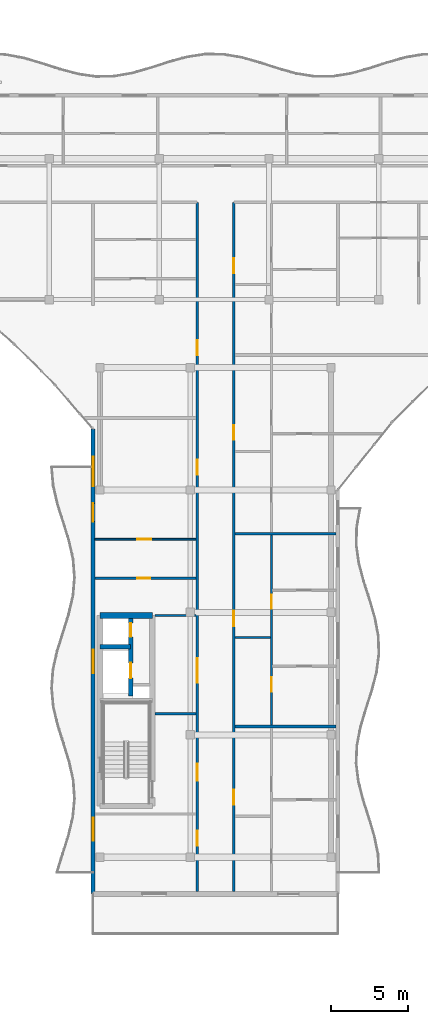
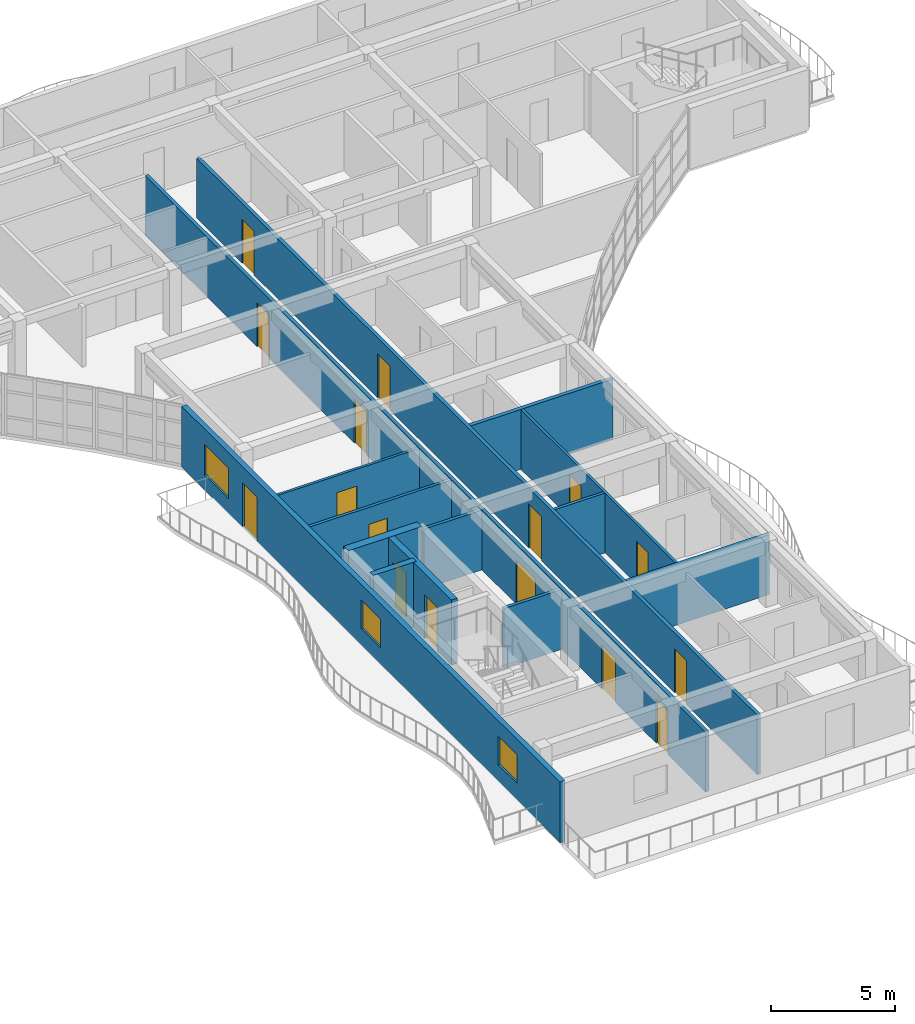
# One storey, part 29 of 49: 16 doors, 14 walls, 3 windows, 19 openings.
"""IFC4 building model written with IfcOpenShell, lengths in metres."""

from ifc_helpers import new_model, si_unit, direction, frame, frame_2d, origin, place, context, subcontext, project, spatial, rectangle, extrude, material, layer, layer_set, type_object, element, fill, save


model = new_model("IFC4")

# Units and contexts
model_context = context("Model", 3, precision=1e-05, world=origin(), true_north=direction((0.0, 1.0)))
body_context = subcontext(model_context, "Body", "Model", "MODEL_VIEW")
ifc_project = project(units=[si_unit("LENGTHUNIT", "METRE"), si_unit("AREAUNIT", "SQUARE_METRE"), si_unit("VOLUMEUNIT", "CUBIC_METRE"), si_unit("PLANEANGLEUNIT", "RADIAN"), si_unit("MASSUNIT", "GRAM", prefix="KILO")], contexts=[model_context])

# Site, building, storey
site_placement = place(None, origin())
site = spatial("IfcSite", under=ifc_project, at=site_placement, CompositionType="ELEMENT")
building_placement = place(site_placement, origin())
building = spatial("IfcBuilding", under=site, at=building_placement, Name="Keldmere Railside Commons", CompositionType="ELEMENT")
storey_placement = place(building_placement, frame((0.0, 0.0, 29.760009765625)))
storey = spatial("IfcBuildingStorey", under=building, at=storey_placement, Name="L09", CompositionType="ELEMENT", Elevation=29.760009765625)

# Walls
ifc_material_1 = material(Name="Acoustic Gypsum Board Partition", Category="gypsum")
ifc_layer_1 = layer(ifc_material_1, 0.179931640625, Name="Acoustic Demising Partition 180")
ifc_layer_set_1 = layer_set([ifc_layer_1], Name="Acoustic Gypsum Board Partition")
wall_type_1 = type_object("IfcWallType", Name="Acoustic Demising Partition 180", PredefinedType="PARTITIONING", material=ifc_layer_set_1)
for number, where, z_axis, x_axis, name in (
    (1, (113.280029296875, 72.550048828125, 0.0), (0.0, 0.0, 1.0), (1.0, 0.0, 0.0), "IW-1 IW-L09-1281"),
    (2, (113.280029296875, 85.139892578125, 0.0), (0.0, 0.0, 1.0), (1.0, 0.0, 0.0), "IW-1 IW-L09-1282"),
):
    element("IfcWall", number, at=place(storey_placement, frame(where, z_axis=z_axis, x_axis=x_axis)), inside=storey, type_object=wall_type_1, Name=name, PredefinedType="PARTITIONING", context=body_context, shape_type="SweptSolid", body=[
        extrude(rectangle(XDim=6.599853515625, YDim=0.179931640625, at=frame_2d((3.2998046875, 0.0))), origin(), (0.0, 0.0, 1.0), 2.93505859375),
    ])

# Wall, openings, doors
ifc_layer_2 = layer(ifc_material_1, 0.1201171875, Name="Apartment Interior Partition 120")
ifc_layer_set_2 = layer_set([ifc_layer_2], Name="Acoustic Gypsum Board Partition")
wall_type_2 = type_object("IfcWallType", Name="Apartment Interior Partition 120", PredefinedType="PARTITIONING", material=ifc_layer_set_2)
wall_1_placement = place(storey_placement, frame((115.659912109375, 72.639892578125, 0.0), z_axis=(0.0, 0.0, 1.0), x_axis=(0.0, 1.0, 0.0)))
wall_1 = element("IfcWall", 3, at=wall_1_placement, inside=storey, type_object=wall_type_2, Name="IW-4 IW-L09-1287", PredefinedType="PARTITIONING", context=body_context, shape_type="SweptSolid", body=[
    extrude(rectangle(XDim=12.41015625, YDim=0.1201171875, at=frame_2d((6.205078125, 0.0))), origin(), (0.0, 0.0, 1.0), 2.93505859375),
])
opening_1_placement = place(wall_1_placement, frame((2.169921875, 0.0, 0.0)))
opening_1 = element("IfcOpeningElement", 4, at=opening_1_placement, cuts=wall_1, Name="Opening ID-05", PredefinedType="OPENING", context=body_context, shape_type="SweptSolid", body=[
    extrude(rectangle(XDim=0.93994140625, YDim=2.10009765625, at=frame_2d((0.469970703125, 1.050048828125))), frame((0.0, 0.070068359375, 0.0), z_axis=(0.0, -1.0, 0.0), x_axis=(1.0, 0.0, 0.0)), (0.0, 0.0, 1.0), 0.14013671875),
])
opening_2_placement = place(wall_1_placement, frame((7.5859375, 0.0, 0.0)))
opening_2 = element("IfcOpeningElement", 5, at=opening_2_placement, cuts=wall_1, Name="Opening ID-03", PredefinedType="OPENING", context=body_context, shape_type="SweptSolid", body=[
    extrude(rectangle(XDim=0.919921875, YDim=2.10009765625, at=frame_2d((0.4599609375, 1.050048828125))), frame((0.0, 0.070068359375, 0.0), z_axis=(0.0, -1.0, 0.0), x_axis=(1.0, 0.0, 0.0)), (0.0, 0.0, 1.0), 0.14013671875),
])
ifc_material_2 = material(Name="Engineered Oak Timber", Category="wood")
door_type_1 = type_object("IfcDoorType", Name="Accessible Bathroom Door 940x2100", OperationType="NOTDEFINED", PredefinedType="DOOR", material=ifc_material_2)
door_1_placement = place(opening_1_placement, origin())
door_1 = element("IfcDoor", 6, at=door_1_placement, inside=storey, type_object=door_type_1, Name="ID-05 IDR-L09-1143", OperationType="SINGLE_SWING_LEFT", OverallHeight=2.10009765625, OverallWidth=0.93994140625, PredefinedType="DOOR", context=body_context, shape_type="SweptSolid", body=[
    extrude(rectangle(XDim=0.93994140625, YDim=2.10009765625, at=frame_2d((0.469970703125, 1.050048828125))), frame((0.0, 0.02490234375, 0.0), z_axis=(0.0, -1.0, 0.0), x_axis=(1.0, 0.0, 0.0)), (0.0, 0.0, 1.0), 0.050048828125),
])
fill(opening_1, door_1)
door_type_2 = type_object("IfcDoorType", Name="Kitchen Pocket-Frame Swing Door 920x2100", OperationType="NOTDEFINED", PredefinedType="DOOR", material=ifc_material_2)
door_2_placement = place(opening_2_placement, origin())
door_2 = element("IfcDoor", 7, at=door_2_placement, inside=storey, type_object=door_type_2, Name="ID-03 IDR-L09-1144", OperationType="SINGLE_SWING_RIGHT", OverallHeight=2.10009765625, OverallWidth=0.919921875, PredefinedType="DOOR", context=body_context, shape_type="SweptSolid", body=[
    extrude(rectangle(XDim=0.919921875, YDim=2.10009765625, at=frame_2d((0.4599609375, 1.050048828125))), frame((0.0, 0.02490234375, 0.0), z_axis=(0.0, -1.0, 0.0), x_axis=(1.0, 0.0, 0.0)), (0.0, 0.0, 1.0), 0.050048828125),
])
fill(opening_2, door_2)

# Wall, opening, door
wall_2_placement = place(storey_placement, frame((104.1201171875, 84.780029296875, 0.0), z_axis=(0.0, 0.0, 1.0), x_axis=(1.0, 0.0, 0.0)))
wall_2 = element("IfcWall", 8, at=wall_2_placement, inside=storey, type_object=wall_type_2, Name="IW-4 IW-L09-1313", PredefinedType="PARTITIONING", context=body_context, shape_type="SweptSolid", body=[
    extrude(rectangle(XDim=6.599853515625, YDim=0.1201171875, at=frame_2d((3.2998046875, 0.0))), origin(), (0.0, 0.0, 1.0), 2.93505859375),
])
opening_3_placement = place(wall_2_placement, frame((2.77197265625, 0.0, 0.0)))
opening_3 = element("IfcOpeningElement", 9, at=opening_3_placement, cuts=wall_2, Name="Opening ID-03", PredefinedType="OPENING", context=body_context, shape_type="SweptSolid", body=[
    extrude(rectangle(XDim=0.919921875, YDim=2.10009765625, at=frame_2d((0.4599609375, 1.050048828125))), frame((0.0, 0.070068359375, 0.0), z_axis=(0.0, -1.0, 0.0), x_axis=(1.0, 0.0, 0.0)), (0.0, 0.0, 1.0), 0.14013671875),
])
door_3_placement = place(opening_3_placement, origin())
door_3 = element("IfcDoor", 10, at=door_3_placement, inside=storey, type_object=door_type_2, Name="ID-03 IDR-L09-1174", OperationType="SINGLE_SWING_RIGHT", OverallHeight=2.10009765625, OverallWidth=0.919921875, PredefinedType="DOOR", context=body_context, shape_type="SweptSolid", body=[
    extrude(rectangle(XDim=0.919921875, YDim=2.10009765625, at=frame_2d((0.4599609375, 1.050048828125))), frame((0.0, 0.02490234375, 0.0), z_axis=(0.0, -1.0, 0.0), x_axis=(1.0, 0.0, 0.0)), (0.0, 0.0, 1.0), 0.050048828125),
])
fill(opening_3, door_3)

# Wall
ifc_material_3 = material(Name="Concrete H-35 (C35/45)", Category="concrete")
ifc_layer_3 = layer(ifc_material_3, 0.280029296875, Name="Core Shear Wall 280")
ifc_layer_set_3 = layer_set([ifc_layer_3], Name="Concrete H-35 (C35/45)")
wall_type_3 = type_object("IfcWallType", Name="Core Shear Wall 280", PredefinedType="SHEAR", material=ifc_layer_set_3)
wall_3_placement = place(storey_placement, frame((104.4599609375, 77.75, 0.0), z_axis=(0.0, 0.0, 1.0), x_axis=(1.0, 0.0, 0.0)))
element("IfcWall", 11, at=wall_3_placement, inside=storey, type_object=wall_type_3, Name="CSW-2 COREBL-L09-0545", PredefinedType="SHEAR", context=body_context, shape_type="SweptSolid", body=[
    extrude(rectangle(XDim=2.0, YDim=0.280029296875, at=frame_2d((1.0, 0.0))), origin(), (0.0, 0.0, 1.0), 3.199951171875),
])

# Wall, openings, doors
wall_4_placement = place(storey_placement, frame((106.4599609375, 74.550048828125, 0.0), z_axis=(0.0, 0.0, 1.0), x_axis=(0.0, 1.0, 0.0)))
wall_4 = element("IfcWall", 12, at=wall_4_placement, inside=storey, type_object=wall_type_3, Name="CSW-2 LSHB-L09-0546", PredefinedType="SHEAR", context=body_context, shape_type="SweptSolid", body=[
    extrude(rectangle(XDim=5.25, YDim=0.280029296875, at=frame_2d((2.625, 0.0))), origin(), (0.0, 0.0, 1.0), 3.199951171875),
])
opening_4_placement = place(wall_4_placement, frame((1.14990234375, 0.0, 0.0)))
opening_4 = element("IfcOpeningElement", 13, at=opening_4_placement, cuts=wall_4, Name="Opening LD-1", PredefinedType="OPENING", context=body_context, shape_type="SweptSolid", body=[
    extrude(rectangle(XDim=1.0, YDim=2.14990234375, at=frame_2d((0.5, 1.074951171875))), frame((0.0, 0.14990234375, 0.0), z_axis=(0.0, -1.0, 0.0), x_axis=(1.0, 0.0, 0.0)), (0.0, 0.0, 1.0), 0.300048828125),
])
opening_5_placement = place(wall_4_placement, frame((3.85009765625, 0.0, 0.0)))
opening_5 = element("IfcOpeningElement", 14, at=opening_5_placement, cuts=wall_4, Name="Opening LD-2", PredefinedType="OPENING", context=body_context, shape_type="SweptSolid", body=[
    extrude(rectangle(XDim=0.89990234375, YDim=2.14990234375, at=frame_2d((0.449951171875, 1.074951171875))), frame((0.0, 0.14990234375, 0.0), z_axis=(0.0, -1.0, 0.0), x_axis=(1.0, 0.0, 0.0)), (0.0, 0.0, 1.0), 0.300048828125),
])
ifc_material_4 = material(Name="Steel F-24 (S235)", Category="steel")
door_type_3 = type_object("IfcDoorType", Name="Firefighting Stretcher Lift Landing Door 1000x2150", OperationType="SLIDING_TO_LEFT", PredefinedType="DOOR", material=ifc_material_4)
door_4_placement = place(opening_4_placement, origin())
door_4 = element("IfcDoor", 15, at=door_4_placement, inside=storey, type_object=door_type_3, Name="LD-1 B L09", OperationType="SLIDING_TO_LEFT", OverallHeight=2.14990234375, OverallWidth=1.0, PredefinedType="DOOR", context=body_context, shape_type="SweptSolid", body=[
    extrude(rectangle(XDim=1.0, YDim=2.14990234375, at=frame_2d((0.5, 1.074951171875))), frame((0.0, 0.02490234375, 0.0), z_axis=(0.0, -1.0, 0.0), x_axis=(1.0, 0.0, 0.0)), (0.0, 0.0, 1.0), 0.050048828125),
])
fill(opening_4, door_4)
door_type_4 = type_object("IfcDoorType", Name="Passenger Lift Sliding Landing Door 900x2150", OperationType="SLIDING_TO_RIGHT", PredefinedType="DOOR", material=ifc_material_4)
door_5_placement = place(opening_5_placement, origin())
door_5 = element("IfcDoor", 16, at=door_5_placement, inside=storey, type_object=door_type_4, Name="LD-2 B L09", OperationType="SLIDING_TO_RIGHT", OverallHeight=2.14990234375, OverallWidth=0.89990234375, PredefinedType="DOOR", context=body_context, shape_type="SweptSolid", body=[
    extrude(rectangle(XDim=0.89990234375, YDim=2.14990234375, at=frame_2d((0.449951171875, 1.074951171875))), frame((0.0, 0.02490234375, 0.0), z_axis=(0.0, -1.0, 0.0), x_axis=(1.0, 0.0, 0.0)), (0.0, 0.0, 1.0), 0.050048828125),
])
fill(opening_5, door_5)

# Wall
ifc_material_5 = material(Name="Concrete H-40 (C40/50)", Category="concrete")
ifc_layer_4 = layer(ifc_material_5, 0.3798828125, Name="Core Shear Wall 380")
ifc_layer_set_4 = layer_set([ifc_layer_4], Name="Concrete H-40 (C40/50)")
wall_type_4 = type_object("IfcWallType", Name="Core Shear Wall 380", PredefinedType="SHEAR", material=ifc_layer_set_4)
wall_5_placement = place(storey_placement, frame((104.4599609375, 79.800048828125, 0.0), z_axis=(0.0, 0.0, 1.0), x_axis=(1.0, 0.0, 0.0)))
element("IfcWall", 17, at=wall_5_placement, inside=storey, type_object=wall_type_4, Name="CW-CORE COREBN-L09-0541", PredefinedType="SHEAR", context=body_context, shape_type="SweptSolid", body=[
    extrude(rectangle(XDim=3.41015625, YDim=0.3798828125, at=frame_2d((1.705078125, 0.0))), origin(), (0.0, 0.0, 1.0), 3.199951171875),
])

# Wall, openings, doors
ifc_layer_5 = layer(ifc_material_1, 0.159912109375, Name="Corridor Fire Partition 160")
ifc_layer_set_5 = layer_set([ifc_layer_5], Name="Acoustic Gypsum Board Partition")
wall_type_5 = type_object("IfcWallType", Name="Corridor Fire Partition 160", PredefinedType="PARTITIONING", material=ifc_layer_set_5)
wall_6_placement = place(storey_placement, frame((110.800048828125, 61.760009765625, 0.0), z_axis=(0.0, 0.0, 1.0), x_axis=(0.0, 1.0, 0.0)))
wall_6 = element("IfcWall", 18, at=wall_6_placement, inside=storey, type_object=wall_type_5, Name="IW-2 IW-L09-1272", PredefinedType="PARTITIONING", context=body_context, shape_type="SweptSolid", body=[
    extrude(rectangle(XDim=45.0400390625, YDim=0.159912109375, at=frame_2d((22.52001953125, 0.0))), origin(), (0.0, 0.0, 1.0), 2.93505859375),
])
opening_6_placement = place(wall_6_placement, frame((7.239990234375, 0.0, 0.0)))
opening_6 = element("IfcOpeningElement", 19, at=opening_6_placement, cuts=wall_6, Name="Opening FD-2", PredefinedType="OPENING", context=body_context, shape_type="SweptSolid", body=[
    extrude(rectangle(XDim=1.10009765625, YDim=2.14990234375, at=frame_2d((0.550048828125, 1.074951171875))), frame((0.0, 0.08984375, 0.0), z_axis=(0.0, -1.0, 0.0), x_axis=(1.0, 0.0, 0.0)), (0.0, 0.0, 1.0), 0.179931640625),
])
opening_7_placement = place(wall_6_placement, frame((13.639892578125, 0.0, 0.0)))
opening_7 = element("IfcOpeningElement", 20, at=opening_7_placement, cuts=wall_6, Name="Opening FD-4", PredefinedType="OPENING", context=body_context, shape_type="SweptSolid", body=[
    extrude(rectangle(XDim=1.60009765625, YDim=2.14990234375, at=frame_2d((0.800048828125, 1.074951171875))), frame((0.0, 0.08984375, 0.0), z_axis=(0.0, -1.0, 0.0), x_axis=(1.0, 0.0, 0.0)), (0.0, 0.0, 1.0), 0.179931640625),
])
opening_8_placement = place(wall_6_placement, frame((3.0, 0.0, 0.0)))
opening_8 = element("IfcOpeningElement", 21, at=opening_8_placement, cuts=wall_6, Name="Opening ID-08", PredefinedType="OPENING", context=body_context, shape_type="SweptSolid", body=[
    extrude(rectangle(XDim=0.9599609375, YDim=2.14990234375, at=frame_2d((0.47998046875, 1.074951171875))), frame((0.0, 0.08984375, 0.0), z_axis=(0.0, -1.0, 0.0), x_axis=(1.0, 0.0, 0.0)), (0.0, 0.0, 1.0), 0.179931640625),
])
opening_9_placement = place(wall_6_placement, frame((27.2451171875, 0.0, 0.0)))
opening_9 = element("IfcOpeningElement", 22, at=opening_9_placement, cuts=wall_6, Name="Opening FD-7", PredefinedType="OPENING", context=body_context, shape_type="SweptSolid", body=[
    extrude(rectangle(XDim=0.97998046875, YDim=2.14990234375, at=frame_2d((0.489990234375, 1.074951171875))), frame((0.0, 0.08984375, 0.0), z_axis=(0.0, -1.0, 0.0), x_axis=(1.0, 0.0, 0.0)), (0.0, 0.0, 1.0), 0.179931640625),
])
opening_10_placement = place(wall_6_placement, frame((35.054931640625, 0.0, 0.0)))
opening_10 = element("IfcOpeningElement", 23, at=opening_10_placement, cuts=wall_6, Name="Opening FD-7", PredefinedType="OPENING", context=body_context, shape_type="SweptSolid", body=[
    extrude(rectangle(XDim=0.97998046875, YDim=2.14990234375, at=frame_2d((0.489990234375, 1.074951171875))), frame((0.0, 0.08984375, 0.0), z_axis=(0.0, -1.0, 0.0), x_axis=(1.0, 0.0, 0.0)), (0.0, 0.0, 1.0), 0.179931640625),
])
door_type_5 = type_object("IfcDoorType", Name="Apartment Entrance Acoustic Fire Door 980x2150", OperationType="NOTDEFINED", PredefinedType="DOOR", material=ifc_material_2)
door_6_placement = place(opening_9_placement, origin())
door_6 = element("IfcDoor", 24, at=door_6_placement, inside=storey, type_object=door_type_5, Name="FD-7 IDR-L09-1175", OperationType="SINGLE_SWING_LEFT", OverallHeight=2.14990234375, OverallWidth=0.97998046875, PredefinedType="DOOR", context=body_context, shape_type="SweptSolid", body=[
    extrude(rectangle(XDim=0.97998046875, YDim=2.14990234375, at=frame_2d((0.489990234375, 1.074951171875))), frame((0.0, 0.02490234375, 0.0), z_axis=(0.0, -1.0, 0.0), x_axis=(1.0, 0.0, 0.0)), (0.0, 0.0, 1.0), 0.050048828125),
])
fill(opening_9, door_6)
door_7_placement = place(opening_10_placement, origin())
door_7 = element("IfcDoor", 25, at=door_7_placement, inside=storey, type_object=door_type_5, Name="FD-7 IDR-L09-1178", OperationType="SINGLE_SWING_RIGHT", OverallHeight=2.14990234375, OverallWidth=0.97998046875, PredefinedType="DOOR", context=body_context, shape_type="SweptSolid", body=[
    extrude(rectangle(XDim=0.97998046875, YDim=2.14990234375, at=frame_2d((0.489990234375, 1.074951171875))), frame((0.0, 0.02490234375, 0.0), z_axis=(0.0, -1.0, 0.0), x_axis=(1.0, 0.0, 0.0)), (0.0, 0.0, 1.0), 0.050048828125),
])
fill(opening_10, door_7)
door_type_6 = type_object("IfcDoorType", Name="Corridor Cross-Compartment Double Fire Door 1600x2150", OperationType="DOUBLE_DOOR_SINGLE_SWING", PredefinedType="DOOR", material=ifc_material_4)
door_8_placement = place(opening_7_placement, origin())
door_8 = element("IfcDoor", 26, at=door_8_placement, inside=storey, type_object=door_type_6, Name="FD-4 IDR-L09-1138", OperationType="DOUBLE_DOOR_SINGLE_SWING", OverallHeight=2.14990234375, OverallWidth=1.60009765625, PredefinedType="DOOR", context=body_context, shape_type="SweptSolid", body=[
    extrude(rectangle(XDim=1.60009765625, YDim=2.14990234375, at=frame_2d((0.800048828125, 1.074951171875))), frame((0.0, 0.02490234375, 0.0), z_axis=(0.0, -1.0, 0.0), x_axis=(1.0, 0.0, 0.0)), (0.0, 0.0, 1.0), 0.050048828125),
])
fill(opening_7, door_8)
door_type_7 = type_object("IfcDoorType", Name="Firefighting Lobby Fire Door 1100x2150", OperationType="NOTDEFINED", PredefinedType="DOOR", material=ifc_material_4)
door_9_placement = place(opening_6_placement, origin())
door_9 = element("IfcDoor", 27, at=door_9_placement, inside=storey, type_object=door_type_7, Name="FD-2 IDR-L09-1137", OperationType="SINGLE_SWING_LEFT", OverallHeight=2.14990234375, OverallWidth=1.10009765625, PredefinedType="DOOR", context=body_context, shape_type="SweptSolid", body=[
    extrude(rectangle(XDim=1.10009765625, YDim=2.14990234375, at=frame_2d((0.550048828125, 1.074951171875))), frame((0.0, 0.02490234375, 0.0), z_axis=(0.0, -1.0, 0.0), x_axis=(1.0, 0.0, 0.0)), (0.0, 0.0, 1.0), 0.050048828125),
])
fill(opening_6, door_9)
door_type_8 = type_object("IfcDoorType", Name="Study & Meeting Room Door 960x2150", OperationType="NOTDEFINED", PredefinedType="DOOR", material=ifc_material_2)
door_10_placement = place(opening_8_placement, origin())
door_10 = element("IfcDoor", 28, at=door_10_placement, inside=storey, type_object=door_type_8, Name="ID-08 IDR-L09-1172", OperationType="SINGLE_SWING_RIGHT", OverallHeight=2.14990234375, OverallWidth=0.9599609375, PredefinedType="DOOR", context=body_context, shape_type="SweptSolid", body=[
    extrude(rectangle(XDim=0.9599609375, YDim=2.14990234375, at=frame_2d((0.47998046875, 1.074951171875))), frame((0.0, 0.02490234375, 0.0), z_axis=(0.0, -1.0, 0.0), x_axis=(1.0, 0.0, 0.0)), (0.0, 0.0, 1.0), 0.050048828125),
])
fill(opening_8, door_10)

wall_7_placement = place(storey_placement, frame((113.199951171875, 61.760009765625, 0.0), z_axis=(0.0, 0.0, 1.0), x_axis=(0.0, 1.0, 0.0)))
wall_7 = element("IfcWall", 29, at=wall_7_placement, inside=storey, type_object=wall_type_5, Name="IW-2 IW-L09-1273", PredefinedType="PARTITIONING", context=body_context, shape_type="SweptSolid", body=[
    extrude(rectangle(XDim=45.0400390625, YDim=0.159912109375, at=frame_2d((22.52001953125, 0.0))), origin(), (0.0, 0.0, 1.0), 2.93505859375),
])
opening_11_placement = place(wall_7_placement, frame((5.669921875, 0.0, 0.0)))
opening_11 = element("IfcOpeningElement", 30, at=opening_11_placement, cuts=wall_7, Name="Opening FD-7", PredefinedType="OPENING", context=body_context, shape_type="SweptSolid", body=[
    extrude(rectangle(XDim=0.97998046875, YDim=2.14990234375, at=frame_2d((0.489990234375, 1.074951171875))), frame((0.0, 0.08984375, 0.0), z_axis=(0.0, -1.0, 0.0), x_axis=(1.0, 0.0, 0.0)), (0.0, 0.0, 1.0), 0.179931640625),
])
opening_12_placement = place(wall_7_placement, frame((17.340087890625, 0.0, 0.0)))
opening_12 = element("IfcOpeningElement", 31, at=opening_12_placement, cuts=wall_7, Name="Opening FD-8", PredefinedType="OPENING", context=body_context, shape_type="SweptSolid", body=[
    extrude(rectangle(XDim=1.02001953125, YDim=2.14990234375, at=frame_2d((0.510009765625, 1.074951171875))), frame((0.0, 0.08984375, 0.0), z_axis=(0.0, -1.0, 0.0), x_axis=(1.0, 0.0, 0.0)), (0.0, 0.0, 1.0), 0.179931640625),
])
opening_13_placement = place(wall_7_placement, frame((29.510009765625, 0.0, 0.0)))
opening_13 = element("IfcOpeningElement", 32, at=opening_13_placement, cuts=wall_7, Name="Opening FD-7", PredefinedType="OPENING", context=body_context, shape_type="SweptSolid", body=[
    extrude(rectangle(XDim=0.97998046875, YDim=2.14990234375, at=frame_2d((0.489990234375, 1.074951171875))), frame((0.0, 0.08984375, 0.0), z_axis=(0.0, -1.0, 0.0), x_axis=(1.0, 0.0, 0.0)), (0.0, 0.0, 1.0), 0.179931640625),
])
opening_14_placement = place(wall_7_placement, frame((40.419921875, 0.0, 0.0)))
opening_14 = element("IfcOpeningElement", 33, at=opening_14_placement, cuts=wall_7, Name="Opening FD-7", PredefinedType="OPENING", context=body_context, shape_type="SweptSolid", body=[
    extrude(rectangle(XDim=0.97998046875, YDim=2.14990234375, at=frame_2d((0.489990234375, 1.074951171875))), frame((0.0, 0.08984375, 0.0), z_axis=(0.0, -1.0, 0.0), x_axis=(1.0, 0.0, 0.0)), (0.0, 0.0, 1.0), 0.179931640625),
])
door_type_9 = type_object("IfcDoorType", Name="Adaptable Apartment Entrance Fire Door 1020x2150", OperationType="NOTDEFINED", PredefinedType="DOOR", material=ifc_material_2)
door_11_placement = place(opening_12_placement, origin())
door_11 = element("IfcDoor", 34, at=door_11_placement, inside=storey, type_object=door_type_9, Name="FD-8 IDR-L09-1145", OperationType="SINGLE_SWING_LEFT", OverallHeight=2.14990234375, OverallWidth=1.02001953125, PredefinedType="DOOR", context=body_context, shape_type="SweptSolid", body=[
    extrude(rectangle(XDim=1.02001953125, YDim=2.14990234375, at=frame_2d((0.510009765625, 1.074951171875))), frame((0.0, 0.02490234375, 0.0), z_axis=(0.0, -1.0, 0.0), x_axis=(1.0, 0.0, 0.0)), (0.0, 0.0, 1.0), 0.050048828125),
])
fill(opening_12, door_11)
door_12_placement = place(opening_11_placement, origin())
door_12 = element("IfcDoor", 35, at=door_12_placement, inside=storey, type_object=door_type_5, Name="FD-7 IDR-L09-1141", OperationType="SINGLE_SWING_LEFT", OverallHeight=2.14990234375, OverallWidth=0.97998046875, PredefinedType="DOOR", context=body_context, shape_type="SweptSolid", body=[
    extrude(rectangle(XDim=0.97998046875, YDim=2.14990234375, at=frame_2d((0.489990234375, 1.074951171875))), frame((0.0, 0.02490234375, 0.0), z_axis=(0.0, -1.0, 0.0), x_axis=(1.0, 0.0, 0.0)), (0.0, 0.0, 1.0), 0.050048828125),
])
fill(opening_11, door_12)
door_13_placement = place(opening_13_placement, origin())
door_13 = element("IfcDoor", 36, at=door_13_placement, inside=storey, type_object=door_type_5, Name="FD-7 IDR-L09-1150", OperationType="SINGLE_SWING_RIGHT", OverallHeight=2.14990234375, OverallWidth=0.97998046875, PredefinedType="DOOR", context=body_context, shape_type="SweptSolid", body=[
    extrude(rectangle(XDim=0.97998046875, YDim=2.14990234375, at=frame_2d((0.489990234375, 1.074951171875))), frame((0.0, 0.02490234375, 0.0), z_axis=(0.0, -1.0, 0.0), x_axis=(1.0, 0.0, 0.0)), (0.0, 0.0, 1.0), 0.050048828125),
])
fill(opening_13, door_13)
door_14_placement = place(opening_14_placement, origin())
door_14 = element("IfcDoor", 37, at=door_14_placement, inside=storey, type_object=door_type_5, Name="FD-7 IDR-L09-1154", OperationType="SINGLE_SWING_RIGHT", OverallHeight=2.14990234375, OverallWidth=0.97998046875, PredefinedType="DOOR", context=body_context, shape_type="SweptSolid", body=[
    extrude(rectangle(XDim=0.97998046875, YDim=2.14990234375, at=frame_2d((0.489990234375, 1.074951171875))), frame((0.0, 0.02490234375, 0.0), z_axis=(0.0, -1.0, 0.0), x_axis=(1.0, 0.0, 0.0)), (0.0, 0.0, 1.0), 0.050048828125),
])
fill(opening_14, door_14)

# Walls
ifc_layer_6 = layer(ifc_material_1, 0.14990234375, Name="Lobby Rated Partition 150")
ifc_layer_set_6 = layer_set([ifc_layer_6], Name="Acoustic Gypsum Board Partition")
wall_type_6 = type_object("IfcWallType", Name="Lobby Rated Partition 150", PredefinedType="PARTITIONING", material=ifc_layer_set_6)
for number, where, z_axis, x_axis, name in (
    (38, (108.0400390625, 73.3798828125, 0.0), (0.0, 0.0, 1.0), (1.0, 0.0, 0.0), "IW-3 IW-L09-1270"),
    (39, (108.0400390625, 79.800048828125, 0.0), (0.0, 0.0, 1.0), (1.0, 0.0, 0.0), "IW-3 IW-L09-1271"),
):
    element("IfcWall", number, at=place(storey_placement, frame(where, z_axis=z_axis, x_axis=x_axis)), inside=storey, type_object=wall_type_6, Name=name, PredefinedType="PARTITIONING", context=body_context, shape_type="SweptSolid", body=[
        extrude(rectangle(XDim=2.679931640625, YDim=0.14990234375, at=frame_2d((1.33984375, 0.0))), origin(), (0.0, 0.0, 1.0), 2.93505859375),
    ])

# Wall, openings, windows, door
ifc_material_6 = material(Name="Architectural Precast Concrete H-35 (C35/45)", Category="concrete")
ifc_layer_7 = layer(ifc_material_6, 0.239990234375, Name="Sand-Ochre Precast Cavity Wall 240")
ifc_layer_set_7 = layer_set([ifc_layer_7], Name="Architectural Precast Concrete H-35 (C35/45)")
wall_type_7 = type_object("IfcWallType", Name="Sand-Ochre Precast Cavity Wall 240", PredefinedType="SOLIDWALL", material=ifc_layer_set_7)
wall_8_placement = place(storey_placement, frame((104.0, 61.60009765625, 0.0), z_axis=(0.0, 0.0, 1.0), x_axis=(0.0, 1.0, 0.0)))
wall_8 = element("IfcWall", 40, at=wall_8_placement, inside=storey, type_object=wall_type_7, Name="EW-2 EXTB-L09-0662", PredefinedType="SOLIDWALL", context=body_context, shape_type="SweptSolid", body=[
    extrude(rectangle(XDim=30.39990234375, YDim=0.239990234375, at=frame_2d((15.199951171875, 0.0))), origin(), (0.0, 0.0, 1.0), 2.97998046875),
])
opening_15_placement = place(wall_8_placement, frame((3.466796875, 0.0, 0.820068359375)))
opening_15 = element("IfcOpeningElement", 41, at=opening_15_placement, cuts=wall_8, Name="Opening WN-06", PredefinedType="OPENING", context=body_context, shape_type="SweptSolid", body=[
    extrude(rectangle(XDim=1.5, YDim=1.39990234375, at=frame_2d((0.75, 0.699951171875))), frame((0.0, 0.1298828125, 0.0), z_axis=(0.0, -1.0, 0.0), x_axis=(1.0, 0.0, 0.0)), (0.0, 0.0, 1.0), 0.260009765625),
])
opening_16_placement = place(wall_8_placement, frame((14.425048828125, 0.0, 0.820068359375)))
opening_16 = element("IfcOpeningElement", 42, at=opening_16_placement, cuts=wall_8, Name="Opening WN-07", PredefinedType="OPENING", context=body_context, shape_type="SweptSolid", body=[
    extrude(rectangle(XDim=1.550048828125, YDim=1.39990234375, at=frame_2d((0.77490234375, 0.699951171875))), frame((0.0, 0.1298828125, 0.0), z_axis=(0.0, -1.0, 0.0), x_axis=(1.0, 0.0, 0.0)), (0.0, 0.0, 1.0), 0.260009765625),
])
opening_17_placement = place(wall_8_placement, frame((24.333251953125, 0.0, 0.0)))
opening_17 = element("IfcOpeningElement", 43, at=opening_17_placement, cuts=wall_8, Name="Opening BD-01", PredefinedType="OPENING", context=body_context, shape_type="SweptSolid", body=[
    extrude(rectangle(XDim=1.199951171875, YDim=2.199951171875, at=frame_2d((0.60009765625, 1.10009765625))), frame((0.0, 0.1298828125, 0.0), z_axis=(0.0, -1.0, 0.0), x_axis=(1.0, 0.0, 0.0)), (0.0, 0.0, 1.0), 0.260009765625),
])
opening_18_placement = place(wall_8_placement, frame((26.63330078125, 0.0, 0.719970703125)))
opening_18 = element("IfcOpeningElement", 44, at=opening_18_placement, cuts=wall_8, Name="Opening WN-38", PredefinedType="OPENING", context=body_context, shape_type="SweptSolid", body=[
    extrude(rectangle(XDim=1.949951171875, YDim=1.5, at=frame_2d((0.97509765625, 0.75))), frame((0.0, 0.1298828125, 0.0), z_axis=(0.0, -1.0, 0.0), x_axis=(1.0, 0.0, 0.0)), (0.0, 0.0, 1.0), 0.260009765625),
])
ifc_material_7 = material(Name="Low-E Insulated Double Glazing", Category="glass")
window_type_1 = type_object("IfcWindowType", Name="Adaptable Apartment Wide Window 1950x1500", PartitioningType="SINGLE_PANEL", PredefinedType="WINDOW", material=ifc_material_7)
window_1_placement = place(opening_18_placement, origin())
window_1 = element("IfcWindow", 45, at=window_1_placement, inside=storey, type_object=window_type_1, Name="WN-38 WIN-L09-0524", OverallHeight=1.5, OverallWidth=1.949951171875, PartitioningType="SINGLE_PANEL", PredefinedType="WINDOW", context=body_context, shape_type="SweptSolid", body=[
    extrude(rectangle(XDim=1.949951171875, YDim=1.5, at=frame_2d((0.97509765625, 0.75))), frame((0.0, 0.030029296875, 0.0), z_axis=(0.0, -1.0, 0.0), x_axis=(1.0, 0.0, 0.0)), (0.0, 0.0, 1.0), 0.06005859375),
])
fill(opening_18, window_1)
ifc_material_8 = material(Name="Thermally Broken Aluminium", Category="aluminium")
door_type_10 = type_object("IfcDoorType", Name="Apartment Living Wave-Balcony Glazed Door 1200x2200", OperationType="NOTDEFINED", PredefinedType="DOOR", material=ifc_material_8)
door_15_placement = place(opening_17_placement, origin())
door_15 = element("IfcDoor", 46, at=door_15_placement, inside=storey, type_object=door_type_10, Name="BD-01 DR-L09-0197", OperationType="SINGLE_SWING_LEFT", OverallHeight=2.199951171875, OverallWidth=1.199951171875, PredefinedType="DOOR", context=body_context, shape_type="SweptSolid", body=[
    extrude(rectangle(XDim=1.199951171875, YDim=2.199951171875, at=frame_2d((0.60009765625, 1.10009765625))), frame((0.0, 0.02490234375, 0.0), z_axis=(0.0, -1.0, 0.0), x_axis=(1.0, 0.0, 0.0)), (0.0, 0.0, 1.0), 0.050048828125),
])
fill(opening_17, door_15)
window_type_2 = type_object("IfcWindowType", Name="Primary Bedroom North Window 1500x1400", PartitioningType="SINGLE_PANEL", PredefinedType="WINDOW", material=ifc_material_7)
window_2_placement = place(opening_15_placement, origin())
window_2 = element("IfcWindow", 47, at=window_2_placement, inside=storey, type_object=window_type_2, Name="WN-06 WIN-L09-0522", OverallHeight=1.39990234375, OverallWidth=1.5, PartitioningType="SINGLE_PANEL", PredefinedType="WINDOW", context=body_context, shape_type="SweptSolid", body=[
    extrude(rectangle(XDim=1.5, YDim=1.39990234375, at=frame_2d((0.75, 0.699951171875))), frame((0.0, 0.030029296875, 0.0), z_axis=(0.0, -1.0, 0.0), x_axis=(1.0, 0.0, 0.0)), (0.0, 0.0, 1.0), 0.06005859375),
])
fill(opening_15, window_2)
window_type_3 = type_object("IfcWindowType", Name="Primary Bedroom South Window 1550x1400", PartitioningType="SINGLE_PANEL", PredefinedType="WINDOW", material=ifc_material_7)
window_3_placement = place(opening_16_placement, origin())
window_3 = element("IfcWindow", 48, at=window_3_placement, inside=storey, type_object=window_type_3, Name="WN-07 WIN-L09-0523", OverallHeight=1.39990234375, OverallWidth=1.550048828125, PartitioningType="SINGLE_PANEL", PredefinedType="WINDOW", context=body_context, shape_type="SweptSolid", body=[
    extrude(rectangle(XDim=1.550048828125, YDim=1.39990234375, at=frame_2d((0.77490234375, 0.699951171875))), frame((0.0, 0.030029296875, 0.0), z_axis=(0.0, -1.0, 0.0), x_axis=(1.0, 0.0, 0.0)), (0.0, 0.0, 1.0), 0.06005859375),
])
fill(opening_16, window_3)

# Wall
ifc_layer_8 = layer(ifc_material_1, 0.139892578125, Name="Wet-Room Sanitary Partition 140")
ifc_layer_set_8 = layer_set([ifc_layer_8], Name="Acoustic Gypsum Board Partition")
wall_type_8 = type_object("IfcWallType", Name="Wet-Room Sanitary Partition 140", PredefinedType="PARTITIONING", material=ifc_layer_set_8)
wall_9_placement = place(storey_placement, frame((113.280029296875, 78.35009765625, 0.0), z_axis=(0.0, 0.0, 1.0), x_axis=(1.0, 0.0, 0.0)))
element("IfcWall", 49, at=wall_9_placement, inside=storey, type_object=wall_type_8, Name="IW-5 IW-L09-1288", PredefinedType="PARTITIONING", context=body_context, shape_type="SweptSolid", body=[
    extrude(rectangle(XDim=2.320068359375, YDim=0.139892578125, at=frame_2d((1.16015625, 0.0))), origin(), (0.0, 0.0, 1.0), 2.93505859375),
])

# Wall, opening, door
wall_10_placement = place(storey_placement, frame((104.1201171875, 82.22998046875, 0.0), z_axis=(0.0, 0.0, 1.0), x_axis=(1.0, 0.0, 0.0)))
wall_10 = element("IfcWall", 50, at=wall_10_placement, inside=storey, type_object=wall_type_8, Name="IW-5 IW-L09-1312", PredefinedType="PARTITIONING", context=body_context, shape_type="SweptSolid", body=[
    extrude(rectangle(XDim=6.599853515625, YDim=0.139892578125, at=frame_2d((3.2998046875, 0.0))), origin(), (0.0, 0.0, 1.0), 2.93505859375),
])
opening_19_placement = place(wall_10_placement, frame((2.77197265625, 0.0, 0.0)))
opening_19 = element("IfcOpeningElement", 51, at=opening_19_placement, cuts=wall_10, Name="Opening ID-04", PredefinedType="OPENING", context=body_context, shape_type="SweptSolid", body=[
    extrude(rectangle(XDim=0.860107421875, YDim=2.10009765625, at=frame_2d((0.43017578125, 1.050048828125))), frame((0.0, 0.079833984375, 0.0), z_axis=(0.0, -1.0, 0.0), x_axis=(1.0, 0.0, 0.0)), (0.0, 0.0, 1.0), 0.159912109375),
])
door_type_11 = type_object("IfcDoorType", Name="Apartment Bathroom Door 860x2100", OperationType="NOTDEFINED", PredefinedType="DOOR", material=ifc_material_2)
door_16_placement = place(opening_19_placement, origin())
door_16 = element("IfcDoor", 52, at=door_16_placement, inside=storey, type_object=door_type_11, Name="ID-04 IDR-L09-1173", OperationType="SINGLE_SWING_LEFT", OverallHeight=2.10009765625, OverallWidth=0.860107421875, PredefinedType="DOOR", context=body_context, shape_type="SweptSolid", body=[
    extrude(rectangle(XDim=0.860107421875, YDim=2.10009765625, at=frame_2d((0.43017578125, 1.050048828125))), frame((0.0, 0.02490234375, 0.0), z_axis=(0.0, -1.0, 0.0), x_axis=(1.0, 0.0, 0.0)), (0.0, 0.0, 1.0), 0.050048828125),
])
fill(opening_19, door_16)

save(model, "model.ifc")
